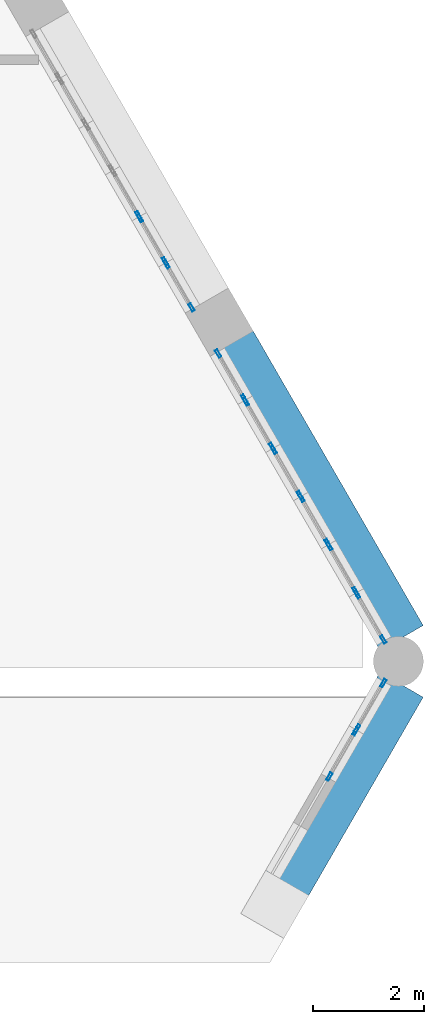
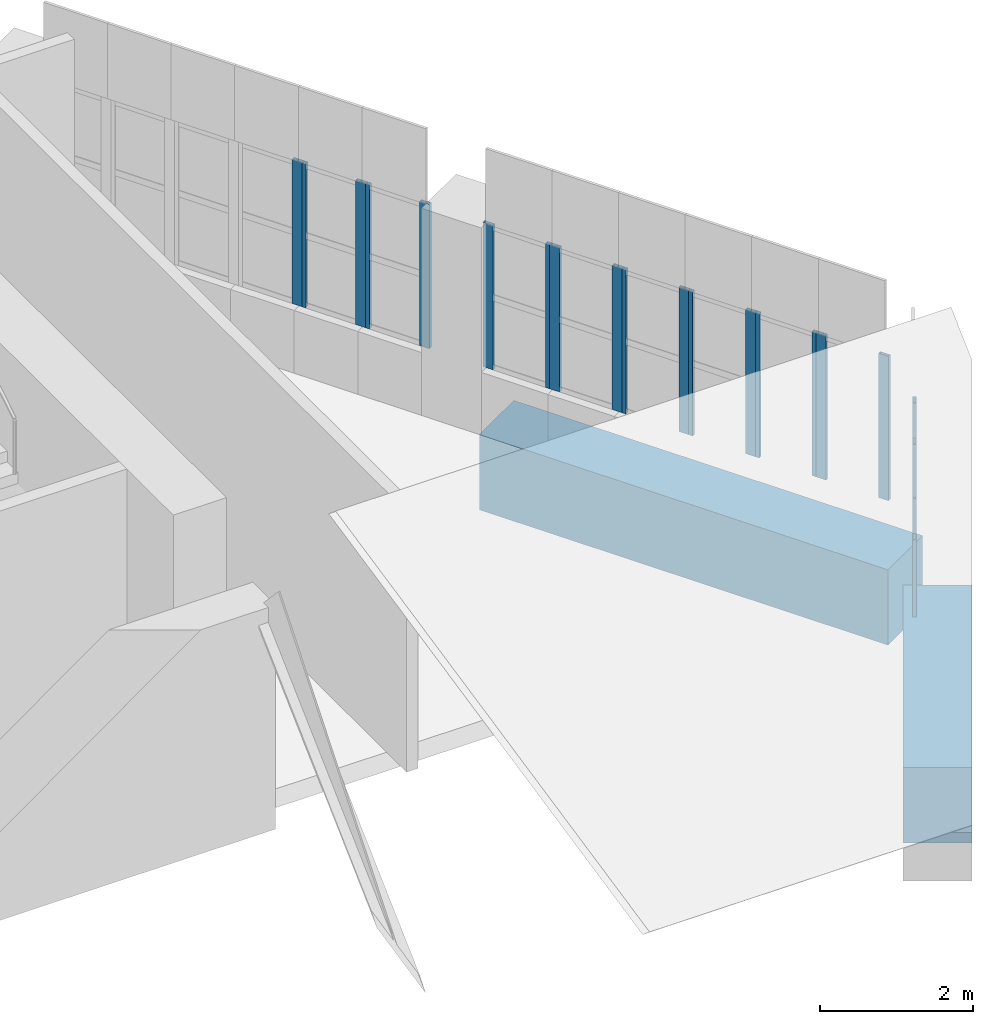
# One storey, part 10 of 20: 21 members, 2 beams, 11 elements without a shape of their own.
"""IFC4 building model written with IfcOpenShell, lengths in metres."""

from ifc_helpers import new_model, si_unit, direction, frame, origin, origin_2d, place, context, subcontext, project, spatial, rectangle, hollow_rectangle, extrude, material, material_profile, profile_set, type_object, element, aggregate, save


model = new_model("IFC4")

# Units and contexts
model_context = context("Model", 3, precision=1e-05, world=origin(), true_north=direction((0.0, 1.0)))
body_context = subcontext(model_context, "Body", "Model", "MODEL_VIEW")
ifc_project = project(units=[si_unit("LENGTHUNIT", "METRE"), si_unit("AREAUNIT", "SQUARE_METRE"), si_unit("VOLUMEUNIT", "CUBIC_METRE"), si_unit("PLANEANGLEUNIT", "RADIAN"), si_unit("MASSUNIT", "GRAM", prefix="KILO")], contexts=[model_context])

# Site, building, storey
site_placement = place(None, origin())
site = spatial("IfcSite", under=ifc_project, at=site_placement, CompositionType="ELEMENT")
building_placement = place(site_placement, origin())
building = spatial("IfcBuilding", under=site, at=building_placement, Name="Ostrander Bayou Hotel Tower", CompositionType="ELEMENT")
storey_placement = place(building_placement, frame((0.0, 0.0, 284.0)))
storey = spatial("IfcBuildingStorey", under=building, at=storey_placement, Name="L70", CompositionType="ELEMENT", Elevation=284.0)

# Curtain wall, members
ifc_material_1 = material(Name="Aluminium and clear glass", Category="aluminium")
curtain_wall_type = type_object("IfcCurtainWallType", Name="CW-CROWN glazed wall", PredefinedType="NOTDEFINED", material=ifc_material_1)
curtain_wall_1_placement = place(storey_placement, origin())
curtain_wall_1 = element("IfcCurtainWall", 1, at=curtain_wall_1_placement, inside=storey, type_object=curtain_wall_type, Name="CW-CROWN L70:SE-3-3", PredefinedType="NOTDEFINED")
ifc_material_2 = material(Name="Aluminium", Category="aluminium")
ifc_material_profile_1 = material_profile(ifc_material_2, hollow_rectangle(XDim=0.050048828125, YDim=0.14990234375, WallThickness=0.00390625, at=origin_2d()))
ifc_profile_set_1 = profile_set([ifc_material_profile_1], Name="Aluminium")
member_type = type_object("IfcMemberType", Name="CW-CR mullion 50 x 150 mm", PredefinedType="MULLION", material=ifc_profile_set_1)
member_1_placement = place(storey_placement, frame((17.2412109375, -3.2373046875, 1.0), z_axis=(0.0, 0.0, 1.0), x_axis=(-0.866021344042, 0.500007031615, 0.0)))
member_1 = element("IfcMember", 2, at=member_1_placement, type_object=member_type, Name="CW-CROWN mullion 1", PredefinedType="MULLION", context=body_context, shape_type="SweptSolid", body=[
    extrude(hollow_rectangle(XDim=0.050048828125, YDim=0.14990234375, WallThickness=0.00390625, at=origin_2d()), origin(), (0.0, 0.0, 1.0), 1.231689453125),
])
member_2_placement = place(storey_placement, frame((17.713134765625, -2.419921875, 1.0), z_axis=(0.0, 0.0, 1.0), x_axis=(-0.866021344042, 0.500007031615, 0.0)))
member_2 = element("IfcMember", 3, at=member_2_placement, type_object=member_type, Name="CW-CROWN mullion 2", PredefinedType="MULLION", context=body_context, shape_type="SweptSolid", body=[
    extrude(hollow_rectangle(XDim=0.050048828125, YDim=0.14990234375, WallThickness=0.00390625, at=origin_2d()), origin(), (0.0, 0.0, 1.0), 1.231689453125),
])
aggregate(curtain_wall_1, [member_1, member_2])

curtain_wall_2_placement = place(storey_placement, origin())
curtain_wall_2 = element("IfcCurtainWall", 4, at=curtain_wall_2_placement, inside=storey, type_object=curtain_wall_type, Name="CW-CROWN L70:SE-3-4", PredefinedType="NOTDEFINED")
member_3_placement = place(storey_placement, frame((17.7431640625, -2.367919921875, 1.0), z_axis=(0.0, 0.0, 1.0), x_axis=(-0.866046247237, 0.499963896343, 0.0)))
member_3 = element("IfcMember", 5, at=member_3_placement, type_object=member_type, Name="CW-CROWN mullion 1", PredefinedType="MULLION", context=body_context, shape_type="SweptSolid", body=[
    extrude(hollow_rectangle(XDim=0.050048828125, YDim=0.14990234375, WallThickness=0.00390625, at=origin_2d()), origin(), (0.0, 0.0, 1.0), 2.050537109375),
])
member_4_placement = place(storey_placement, frame((18.215087890625, -1.550537109375, 1.0), z_axis=(0.0, 0.0, 1.0), x_axis=(-0.866046247237, 0.499963896343, 0.0)))
member_4 = element("IfcMember", 6, at=member_4_placement, type_object=member_type, Name="CW-CROWN mullion 2", PredefinedType="MULLION", context=body_context, shape_type="SweptSolid", body=[
    extrude(hollow_rectangle(XDim=0.050048828125, YDim=0.14990234375, WallThickness=0.00390625, at=origin_2d()), origin(), (0.0, 0.0, 1.0), 2.050537109375),
])
aggregate(curtain_wall_2, [member_3, member_4])

curtain_wall_3_placement = place(storey_placement, origin())
curtain_wall_3 = element("IfcCurtainWall", 7, at=curtain_wall_3_placement, inside=storey, type_object=curtain_wall_type, Name="CW-CROWN L70:NE-1-1", PredefinedType="NOTDEFINED")
member_5_placement = place(storey_placement, frame((18.215087890625, -0.76220703125, 1.0), z_axis=(0.0, 0.0, 1.0), x_axis=(-0.865976376875, -0.500084907485, 0.0)))
member_5 = element("IfcMember", 8, at=member_5_placement, type_object=member_type, Name="CW-CROWN mullion 1", PredefinedType="MULLION", context=body_context, shape_type="SweptSolid", body=[
    extrude(hollow_rectangle(XDim=0.050048828125, YDim=0.14990234375, WallThickness=0.00390625, at=origin_2d()), origin(), (0.0, 0.0, 1.0), 2.300048828125),
])
member_6_placement = place(storey_placement, frame((17.743408203125, 0.05419921875, 1.0), z_axis=(0.0, 0.0, 1.0), x_axis=(-0.865976376875, -0.500084907485, 0.0)))
member_6 = element("IfcMember", 9, at=member_6_placement, type_object=member_type, Name="CW-CROWN mullion 2", PredefinedType="MULLION", context=body_context, shape_type="SweptSolid", body=[
    extrude(hollow_rectangle(XDim=0.050048828125, YDim=0.14990234375, WallThickness=0.00390625, at=origin_2d()), origin(), (0.0, 0.0, 1.0), 2.300048828125),
])
aggregate(curtain_wall_3, [member_5, member_6])

curtain_wall_4_placement = place(storey_placement, origin())
curtain_wall_4 = element("IfcCurtainWall", 10, at=curtain_wall_4_placement, inside=storey, type_object=curtain_wall_type, Name="CW-CROWN L70:NE-1-2", PredefinedType="NOTDEFINED")
member_7_placement = place(storey_placement, frame((17.713623046875, 0.106201171875, 1.0), z_axis=(0.0, 0.0, 1.0), x_axis=(-0.866044474681, -0.499966966783, 0.0)))
member_7 = element("IfcMember", 11, at=member_7_placement, type_object=member_type, Name="CW-CROWN mullion 1", PredefinedType="MULLION", context=body_context, shape_type="SweptSolid", body=[
    extrude(hollow_rectangle(XDim=0.050048828125, YDim=0.14990234375, WallThickness=0.00390625, at=origin_2d()), origin(), (0.0, 0.0, 1.0), 2.300048828125),
])
member_8_placement = place(storey_placement, frame((17.241943359375, 0.923095703125, 1.0), z_axis=(0.0, 0.0, 1.0), x_axis=(-0.866044474681, -0.499966966783, 0.0)))
member_8 = element("IfcMember", 12, at=member_8_placement, type_object=member_type, Name="CW-CROWN mullion 2", PredefinedType="MULLION", context=body_context, shape_type="SweptSolid", body=[
    extrude(hollow_rectangle(XDim=0.050048828125, YDim=0.14990234375, WallThickness=0.00390625, at=origin_2d()), origin(), (0.0, 0.0, 1.0), 2.300048828125),
])
aggregate(curtain_wall_4, [member_7, member_8])

curtain_wall_5_placement = place(storey_placement, origin())
curtain_wall_5 = element("IfcCurtainWall", 13, at=curtain_wall_5_placement, inside=storey, type_object=curtain_wall_type, Name="CW-CROWN L70:NE-1-3", PredefinedType="NOTDEFINED")
member_9_placement = place(storey_placement, frame((17.2119140625, 0.97509765625, 1.0), z_axis=(0.0, 0.0, 1.0), x_axis=(-0.866044474681, -0.499966966783, 0.0)))
member_9 = element("IfcMember", 14, at=member_9_placement, type_object=member_type, Name="CW-CROWN mullion 1", PredefinedType="MULLION", context=body_context, shape_type="SweptSolid", body=[
    extrude(hollow_rectangle(XDim=0.050048828125, YDim=0.14990234375, WallThickness=0.00390625, at=origin_2d()), origin(), (0.0, 0.0, 1.0), 2.300048828125),
])
member_10_placement = place(storey_placement, frame((16.740478515625, 1.791748046875, 1.0), z_axis=(0.0, 0.0, 1.0), x_axis=(-0.866044474681, -0.499966966783, 0.0)))
member_10 = element("IfcMember", 15, at=member_10_placement, type_object=member_type, Name="CW-CROWN mullion 2", PredefinedType="MULLION", context=body_context, shape_type="SweptSolid", body=[
    extrude(hollow_rectangle(XDim=0.050048828125, YDim=0.14990234375, WallThickness=0.00390625, at=origin_2d()), origin(), (0.0, 0.0, 1.0), 2.300048828125),
])
aggregate(curtain_wall_5, [member_9, member_10])

curtain_wall_6_placement = place(storey_placement, origin())
curtain_wall_6 = element("IfcCurtainWall", 16, at=curtain_wall_6_placement, inside=storey, type_object=curtain_wall_type, Name="CW-CROWN L70:NE-1-4", PredefinedType="NOTDEFINED")
member_11_placement = place(storey_placement, frame((16.71044921875, 1.84375, 1.0), z_axis=(0.0, 0.0, 1.0), x_axis=(-0.866019551165, -0.500010136897, 0.0)))
member_11 = element("IfcMember", 17, at=member_11_placement, type_object=member_type, Name="CW-CROWN mullion 1", PredefinedType="MULLION", context=body_context, shape_type="SweptSolid", body=[
    extrude(hollow_rectangle(XDim=0.050048828125, YDim=0.14990234375, WallThickness=0.00390625, at=origin_2d()), origin(), (0.0, 0.0, 1.0), 2.300048828125),
])
member_12_placement = place(storey_placement, frame((16.239013671875, 2.660400390625, 1.0), z_axis=(0.0, 0.0, 1.0), x_axis=(-0.866019551165, -0.500010136897, 0.0)))
member_12 = element("IfcMember", 18, at=member_12_placement, type_object=member_type, Name="CW-CROWN mullion 2", PredefinedType="MULLION", context=body_context, shape_type="SweptSolid", body=[
    extrude(hollow_rectangle(XDim=0.050048828125, YDim=0.14990234375, WallThickness=0.00390625, at=origin_2d()), origin(), (0.0, 0.0, 1.0), 2.300048828125),
])
aggregate(curtain_wall_6, [member_11, member_12])

curtain_wall_7_placement = place(storey_placement, origin())
curtain_wall_7 = element("IfcCurtainWall", 19, at=curtain_wall_7_placement, inside=storey, type_object=curtain_wall_type, Name="CW-CROWN L70:NE-1-5", PredefinedType="NOTDEFINED")
member_13_placement = place(storey_placement, frame((16.208984375, 2.712158203125, 1.0), z_axis=(0.0, 0.0, 1.0), x_axis=(-0.866001306597, -0.50004173523, 0.0)))
member_13 = element("IfcMember", 20, at=member_13_placement, type_object=member_type, Name="CW-CROWN mullion 1", PredefinedType="MULLION", context=body_context, shape_type="SweptSolid", body=[
    extrude(hollow_rectangle(XDim=0.050048828125, YDim=0.14990234375, WallThickness=0.00390625, at=origin_2d()), origin(), (0.0, 0.0, 1.0), 2.300048828125),
])
member_14_placement = place(storey_placement, frame((15.7373046875, 3.529052734375, 1.0), z_axis=(0.0, 0.0, 1.0), x_axis=(-0.866001306597, -0.50004173523, 0.0)))
member_14 = element("IfcMember", 21, at=member_14_placement, type_object=member_type, Name="CW-CROWN mullion 2", PredefinedType="MULLION", context=body_context, shape_type="SweptSolid", body=[
    extrude(hollow_rectangle(XDim=0.050048828125, YDim=0.14990234375, WallThickness=0.00390625, at=origin_2d()), origin(), (0.0, 0.0, 1.0), 2.300048828125),
])
aggregate(curtain_wall_7, [member_13, member_14])

curtain_wall_8_placement = place(storey_placement, origin())
curtain_wall_8 = element("IfcCurtainWall", 22, at=curtain_wall_8_placement, inside=storey, type_object=curtain_wall_type, Name="CW-CROWN L70:NE-1-6", PredefinedType="NOTDEFINED")
member_15_placement = place(storey_placement, frame((15.70751953125, 3.5810546875, 1.0), z_axis=(0.0, 0.0, 1.0), x_axis=(-0.866044474681, -0.499966966783, 0.0)))
member_15 = element("IfcMember", 23, at=member_15_placement, type_object=member_type, Name="CW-CROWN mullion 1", PredefinedType="MULLION", context=body_context, shape_type="SweptSolid", body=[
    extrude(hollow_rectangle(XDim=0.050048828125, YDim=0.14990234375, WallThickness=0.00390625, at=origin_2d()), origin(), (0.0, 0.0, 1.0), 2.300048828125),
])
member_16_placement = place(storey_placement, frame((15.23583984375, 4.397705078125, 1.0), z_axis=(0.0, 0.0, 1.0), x_axis=(-0.866044474681, -0.499966966783, 0.0)))
member_16 = element("IfcMember", 24, at=member_16_placement, type_object=member_type, Name="CW-CROWN mullion 2", PredefinedType="MULLION", context=body_context, shape_type="SweptSolid", body=[
    extrude(hollow_rectangle(XDim=0.050048828125, YDim=0.14990234375, WallThickness=0.00390625, at=origin_2d()), origin(), (0.0, 0.0, 1.0), 2.300048828125),
])
aggregate(curtain_wall_8, [member_15, member_16])

curtain_wall_9_placement = place(storey_placement, origin())
curtain_wall_9 = element("IfcCurtainWall", 25, at=curtain_wall_9_placement, inside=storey, type_object=curtain_wall_type, Name="CW-CROWN L70:NE-2-1", PredefinedType="NOTDEFINED")
member_17_placement = place(storey_placement, frame((14.755859375, 5.22900390625, 1.0), z_axis=(0.0, 0.0, 1.0), x_axis=(-0.866022491007, -0.500005045044, 0.0)))
member_17 = element("IfcMember", 26, at=member_17_placement, type_object=member_type, Name="CW-CROWN mullion 1", PredefinedType="MULLION", context=body_context, shape_type="SweptSolid", body=[
    extrude(hollow_rectangle(XDim=0.050048828125, YDim=0.14990234375, WallThickness=0.00390625, at=origin_2d()), origin(), (0.0, 0.0, 1.0), 2.300048828125),
])
member_18_placement = place(storey_placement, frame((14.305908203125, 6.00830078125, 1.0), z_axis=(0.0, 0.0, 1.0), x_axis=(-0.866022491007, -0.500005045044, 0.0)))
member_18 = element("IfcMember", 27, at=member_18_placement, type_object=member_type, Name="CW-CROWN mullion 2", PredefinedType="MULLION", context=body_context, shape_type="SweptSolid", body=[
    extrude(hollow_rectangle(XDim=0.050048828125, YDim=0.14990234375, WallThickness=0.00390625, at=origin_2d()), origin(), (0.0, 0.0, 1.0), 2.300048828125),
])
aggregate(curtain_wall_9, [member_17, member_18])

curtain_wall_10_placement = place(storey_placement, origin())
curtain_wall_10 = element("IfcCurtainWall", 28, at=curtain_wall_10_placement, inside=storey, type_object=curtain_wall_type, Name="CW-CROWN L70:NE-2-2", PredefinedType="NOTDEFINED")
member_19_placement = place(storey_placement, frame((14.27587890625, 6.060302734375, 1.0), z_axis=(0.0, 0.0, 1.0), x_axis=(-0.866022491007, -0.500005045044, 0.0)))
member_19 = element("IfcMember", 29, at=member_19_placement, type_object=member_type, Name="CW-CROWN mullion 1", PredefinedType="MULLION", context=body_context, shape_type="SweptSolid", body=[
    extrude(hollow_rectangle(XDim=0.050048828125, YDim=0.14990234375, WallThickness=0.00390625, at=origin_2d()), origin(), (0.0, 0.0, 1.0), 2.300048828125),
])
member_20_placement = place(storey_placement, frame((13.826171875, 6.839599609375, 1.0), z_axis=(0.0, 0.0, 1.0), x_axis=(-0.866022491007, -0.500005045044, 0.0)))
member_20 = element("IfcMember", 30, at=member_20_placement, type_object=member_type, Name="CW-CROWN mullion 2", PredefinedType="MULLION", context=body_context, shape_type="SweptSolid", body=[
    extrude(hollow_rectangle(XDim=0.050048828125, YDim=0.14990234375, WallThickness=0.00390625, at=origin_2d()), origin(), (0.0, 0.0, 1.0), 2.300048828125),
])
aggregate(curtain_wall_10, [member_19, member_20])

# Curtain wall, member
curtain_wall_11_placement = place(storey_placement, origin())
curtain_wall_11 = element("IfcCurtainWall", 31, at=curtain_wall_11_placement, inside=storey, type_object=curtain_wall_type, Name="CW-CROWN L70:NE-2-3", PredefinedType="NOTDEFINED")
member_21_placement = place(storey_placement, frame((13.796142578125, 6.8916015625, 1.0), z_axis=(0.0, 0.0, 1.0), x_axis=(-0.866048535364, -0.499959932788, 0.0)))
member_21 = element("IfcMember", 32, at=member_21_placement, type_object=member_type, Name="CW-CROWN mullion 1", PredefinedType="MULLION", context=body_context, shape_type="SweptSolid", body=[
    extrude(hollow_rectangle(XDim=0.050048828125, YDim=0.14990234375, WallThickness=0.00390625, at=origin_2d()), origin(), (0.0, 0.0, 1.0), 2.300048828125),
])
aggregate(curtain_wall_11, [member_21])

# Beams
ifc_material_3 = material(Name="Concrete f'c 60 MPa", Category="concrete")
ifc_material_profile_2 = material_profile(ifc_material_3, rectangle(XDim=0.89990234375, YDim=1.199951171875, at=origin_2d()))
ifc_profile_set_2 = profile_set([ifc_material_profile_2], Name="Concrete f'c 60 MPa")
beam_type = type_object("IfcBeamType", Name="SP4 spandrel beam 900 x 1200 mm f'c 60 MPa", PredefinedType="SPANDREL", material=ifc_profile_set_2)
beam_1_placement = place(storey_placement, frame((16.46728515625, -5.177978515625, -0.60009765625), z_axis=(0.499980071345, 0.866036909293, 0.0), x_axis=(-0.866036909293, 0.499980071345, 0.0)))
element("IfcBeam", 33, at=beam_1_placement, inside=storey, type_object=beam_type, Name="SP4 L70 SE-3", PredefinedType="SPANDREL", context=body_context, shape_type="SweptSolid", body=[
    extrude(rectangle(XDim=0.89990234375, YDim=1.199951171875, at=origin_2d()), origin(), (0.0, 0.0, 1.0), 4.156494140625),
])
beam_2_placement = place(storey_placement, frame((18.54541015625, -0.734619140625, -0.60009765625), z_axis=(-0.499984362083, 0.866034432152, 0.0), x_axis=(-0.866034432152, -0.499984362083, 0.0)))
element("IfcBeam", 34, at=beam_2_placement, inside=storey, type_object=beam_type, Name="SP4 L70 NE-1", PredefinedType="SPANDREL", context=body_context, shape_type="SweptSolid", body=[
    extrude(rectangle(XDim=0.89990234375, YDim=1.199951171875, at=origin_2d()), origin(), (0.0, 0.0, 1.0), 6.159423828125),
])

save(model, "model.ifc")
